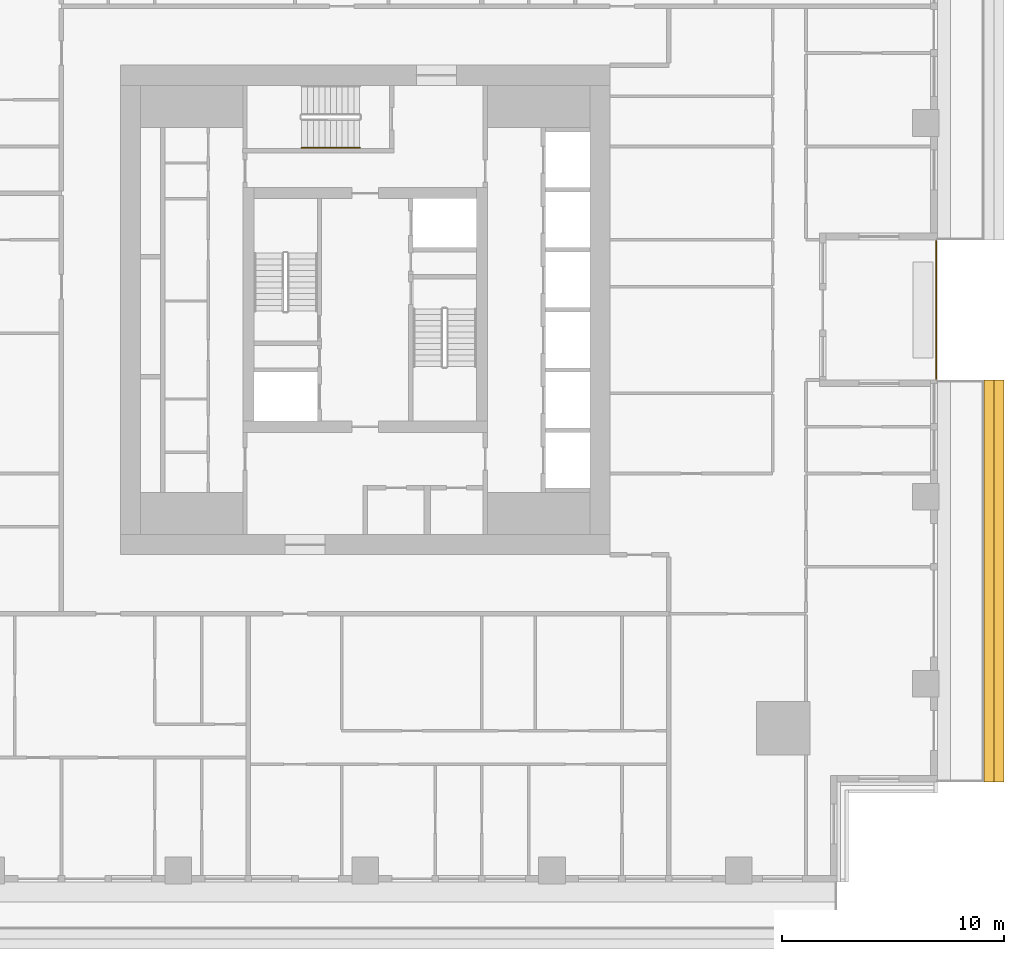
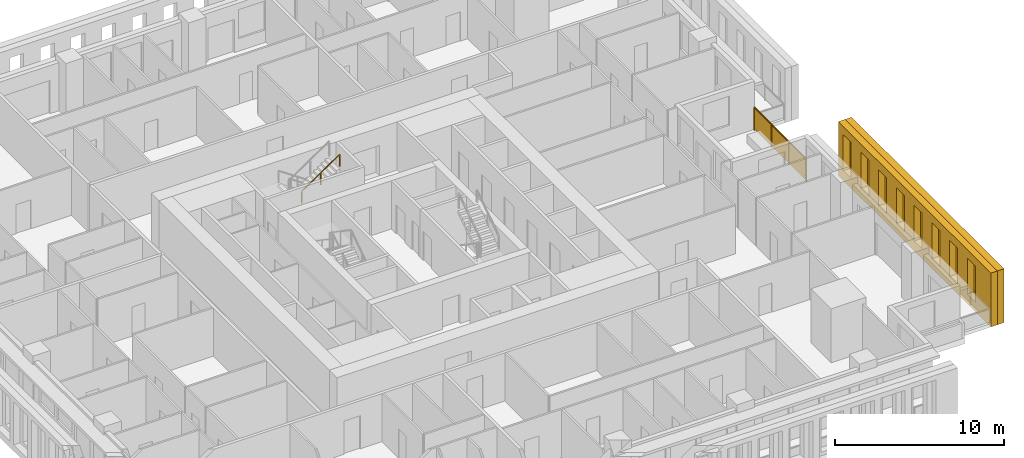
# One storey, part 15 of 17: 2 railings, 2 shading devices.
"""IFC4 building model written with IfcOpenShell, lengths in metres."""

from ifc_helpers import new_model, si_unit, direction, frame, origin, origin_2d, place, context, subcontext, project, spatial, polyline, rectangle, outline, extrude, material, type_object, element, save


model = new_model("IFC4")

# Units and contexts
model_context = context("Model", 3, precision=1e-05, world=origin(), true_north=direction((0.0, 1.0)))
body_context = subcontext(model_context, "Body", "Model", "MODEL_VIEW")
ifc_project = project(units=[si_unit("LENGTHUNIT", "METRE"), si_unit("AREAUNIT", "SQUARE_METRE"), si_unit("VOLUMEUNIT", "CUBIC_METRE"), si_unit("PLANEANGLEUNIT", "RADIAN"), si_unit("MASSUNIT", "GRAM", prefix="KILO")], contexts=[model_context])

# Site, building, storey
site_placement = place(None, origin())
site = spatial("IfcSite", under=ifc_project, at=site_placement, CompositionType="ELEMENT")
building_placement = place(site_placement, origin())
building = spatial("IfcBuilding", under=site, at=building_placement, Name="Khepri Terraces", CompositionType="ELEMENT")
storey_placement = place(building_placement, frame((0.0, 0.0, 188.39990234375)))
storey = spatial("IfcBuildingStorey", under=building, at=storey_placement, Name="L44", CompositionType="ELEMENT", Elevation=188.39990234375)

# Railings
ifc_material_1 = material(Name="Stainless steel grade 316", Category="steel")
railing_type_1 = type_object("IfcRailingType", Name="GRD-TERR-1700", PredefinedType="GUARDRAIL", material=ifc_material_1)
railing_1_placement = place(storey_placement, frame((25.669921875, 3.080078125, 0.0)))
element("IfcRailing", 1, at=railing_1_placement, inside=storey, type_object=railing_type_1, Name="Terrace guard L44", PredefinedType="GUARDRAIL", context=body_context, shape_type="SweptSolid", body=[
    extrude(rectangle(XDim=0.050048828125, YDim=0.06005859375, at=origin_2d()), frame((0.0, 0.0, 1.669921875), z_axis=(0.0, -1.0, 0.0), x_axis=(1.0, 0.0, 0.0)), (0.0, 0.0, 1.0), 6.16015625),
    extrude(rectangle(XDim=2.00341796875, YDim=0.011962890625, at=origin_2d()), frame((0.0, -1.026611328125, 0.10009765625), z_axis=(0.0, 0.0, 1.0), x_axis=(0.0, -1.0, 0.0)), (0.0, 0.0, 1.0), 1.539794921875),
    extrude(rectangle(XDim=2.00341796875, YDim=0.011962890625, at=origin_2d()), frame((0.0, -3.080078125, 0.10009765625), z_axis=(0.0, 0.0, 1.0), x_axis=(0.0, -1.0, 0.0)), (0.0, 0.0, 1.0), 1.539794921875),
    extrude(rectangle(XDim=2.00341796875, YDim=0.011962890625, at=origin_2d()), frame((0.0, -5.133544921875, 0.10009765625), z_axis=(0.0, 0.0, 1.0), x_axis=(0.0, -1.0, 0.0)), (0.0, 0.0, 1.0), 1.539794921875),
    extrude(rectangle(XDim=0.050048828125, YDim=0.050048828125, at=origin_2d()), origin(), (0.0, 0.0, 1.0), 1.639892578125),
    extrude(rectangle(XDim=0.050048828125, YDim=0.050048828125, at=origin_2d()), frame((0.0, -2.053466796875, 0.0)), (0.0, 0.0, 1.0), 1.639892578125),
    extrude(rectangle(XDim=0.050048828125, YDim=0.050048828125, at=origin_2d()), frame((0.0, -4.106689453125, 0.0)), (0.0, 0.0, 1.0), 1.639892578125),
    extrude(rectangle(XDim=0.050048828125, YDim=0.050048828125, at=origin_2d()), frame((0.0, -6.16015625, 0.0)), (0.0, 0.0, 1.0), 1.639892578125),
])
ifc_material_2 = material(Name="Stainless steel 316", Category="steel")
railing_type_2 = type_object("IfcRailingType", Name="RL-CORE-HANDRAIL", PredefinedType="HANDRAIL", material=ifc_material_2)
railing_2_placement = place(storey_placement, frame((-2.85009765625, 7.300048828125, 2.12744140625)))
element("IfcRailing", 2, at=railing_2_placement, inside=storey, type_object=railing_type_2, Name="L44 ST-3 stair handrail 2", PredefinedType="HANDRAIL", context=body_context, shape_type="SweptSolid", body=[
    extrude(rectangle(XDim=0.050048828125, YDim=0.050048828125, at=origin_2d()), frame((0.0, 0.0, 0.875), z_axis=(0.826240473404, 0.0, 0.563317565952), x_axis=(0.0, 1.0, 0.0)), (0.0, 0.0, 1.0), 3.14697265625),
    extrude(rectangle(XDim=0.050048828125, YDim=0.050048828125, at=origin_2d()), origin(), (0.0, 0.0, 1.0), 0.849853515625),
    extrude(rectangle(XDim=0.050048828125, YDim=0.050048828125, at=origin_2d()), frame((1.300048828125, 0.0, 0.88623046875)), (0.0, 0.0, 1.0), 0.849853515625),
    extrude(rectangle(XDim=0.050048828125, YDim=0.050048828125, at=origin_2d()), frame((2.60009765625, 0.0, 1.772705078125)), (0.0, 0.0, 1.0), 0.849853515625),
])

# Shading devices
ifc_material_3 = material(Name="Precast concrete C50/60 warm stone", Category="masonry")
shading_device_type_1 = type_object("IfcShadingDeviceType", Name="SCR-CELL-INNER-450", PredefinedType="USERDEFINED", material=ifc_material_3)
shading_device_1_placement = place(storey_placement, frame((27.820068359375, -21.219970703125, -0.25), z_axis=(1.0, 0.0, 0.0), x_axis=(0.0, 1.0, 0.0)))
element("IfcShadingDevice", 3, at=shading_device_1_placement, inside=storey, type_object=shading_device_type_1, Name="Cell screen L44 E in", ObjectType="SCREEN", PredefinedType="USERDEFINED", context=body_context, shape_type="SweptSolid", body=[
    extrude(outline(polyline([(0.0, 0.0), (18.070068359375, 0.0), (18.070068359375, 3.89990234375), (0.0, 3.89990234375), (0.0, 0.0)]), holes=[polyline([(1.847412109375, 0.699951171875), (2.79248046875, 0.699951171875), (2.79248046875, 3.300048828125), (1.847412109375, 3.300048828125), (1.847412109375, 0.699951171875)]), polyline([(3.947509765625, 0.699951171875), (4.892578125, 0.699951171875), (4.892578125, 3.300048828125), (3.947509765625, 3.300048828125), (3.947509765625, 0.699951171875)]), polyline([(6.047607421875, 0.699951171875), (6.992431640625, 0.699951171875), (6.992431640625, 3.300048828125), (6.047607421875, 3.300048828125), (6.047607421875, 0.699951171875)]), polyline([(8.1474609375, 0.699951171875), (9.092529296875, 0.699951171875), (9.092529296875, 3.300048828125), (8.1474609375, 3.300048828125), (8.1474609375, 0.699951171875)]), polyline([(10.24755859375, 0.699951171875), (11.1923828125, 0.699951171875), (11.1923828125, 3.300048828125), (10.24755859375, 3.300048828125), (10.24755859375, 0.699951171875)]), polyline([(12.347412109375, 0.699951171875), (13.29248046875, 0.699951171875), (13.29248046875, 3.300048828125), (12.347412109375, 3.300048828125), (12.347412109375, 0.699951171875)]), polyline([(14.447509765625, 0.699951171875), (15.392578125, 0.699951171875), (15.392578125, 3.300048828125), (14.447509765625, 3.300048828125), (14.447509765625, 0.699951171875)]), polyline([(16.547607421875, 0.699951171875), (17.492431640625, 0.699951171875), (17.492431640625, 3.300048828125), (16.547607421875, 3.300048828125), (16.547607421875, 0.699951171875)])]), origin(), (0.0, 0.0, 1.0), 0.449951171875),
])
shading_device_type_2 = type_object("IfcShadingDeviceType", Name="SCR-CELL-OUTER-450", PredefinedType="USERDEFINED", material=ifc_material_3)
shading_device_2_placement = place(storey_placement, frame((28.27001953125, -21.219970703125, -0.25), z_axis=(1.0, 0.0, 0.0), x_axis=(0.0, 1.0, 0.0)))
element("IfcShadingDevice", 4, at=shading_device_2_placement, inside=storey, type_object=shading_device_type_2, Name="Cell screen L44 E out", ObjectType="SCREEN", PredefinedType="USERDEFINED", context=body_context, shape_type="SweptSolid", body=[
    extrude(outline(polyline([(0.0, 0.0), (18.070068359375, 0.0), (18.070068359375, 3.89990234375), (0.0, 3.89990234375), (0.0, 0.0)]), holes=[polyline([(1.49755859375, 0.449951171875), (3.142578125, 0.449951171875), (3.142578125, 3.550048828125), (1.49755859375, 3.550048828125), (1.49755859375, 0.449951171875)]), polyline([(3.597412109375, 0.449951171875), (5.242431640625, 0.449951171875), (5.242431640625, 3.550048828125), (3.597412109375, 3.550048828125), (3.597412109375, 0.449951171875)]), polyline([(5.697509765625, 0.449951171875), (7.342529296875, 0.449951171875), (7.342529296875, 3.550048828125), (5.697509765625, 3.550048828125), (5.697509765625, 0.449951171875)]), polyline([(7.797607421875, 0.449951171875), (9.4423828125, 0.449951171875), (9.4423828125, 3.550048828125), (7.797607421875, 3.550048828125), (7.797607421875, 0.449951171875)]), polyline([(9.8974609375, 0.449951171875), (11.54248046875, 0.449951171875), (11.54248046875, 3.550048828125), (9.8974609375, 3.550048828125), (9.8974609375, 0.449951171875)]), polyline([(11.99755859375, 0.449951171875), (13.642578125, 0.449951171875), (13.642578125, 3.550048828125), (11.99755859375, 3.550048828125), (11.99755859375, 0.449951171875)]), polyline([(14.097412109375, 0.449951171875), (15.742431640625, 0.449951171875), (15.742431640625, 3.550048828125), (14.097412109375, 3.550048828125), (14.097412109375, 0.449951171875)]), polyline([(16.197509765625, 0.449951171875), (17.842529296875, 0.449951171875), (17.842529296875, 3.550048828125), (16.197509765625, 3.550048828125), (16.197509765625, 0.449951171875)])]), origin(), (0.0, 0.0, 1.0), 0.449951171875),
])

save(model, "model.ifc")
